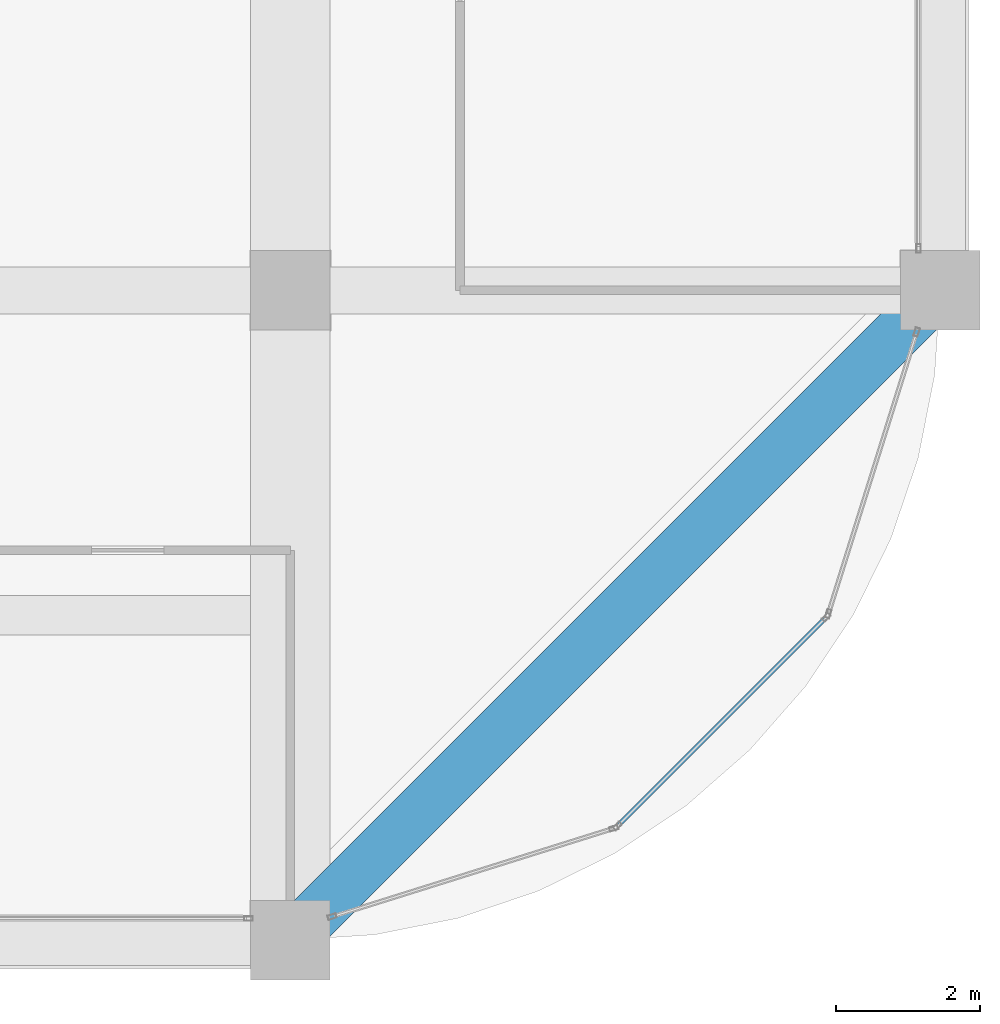
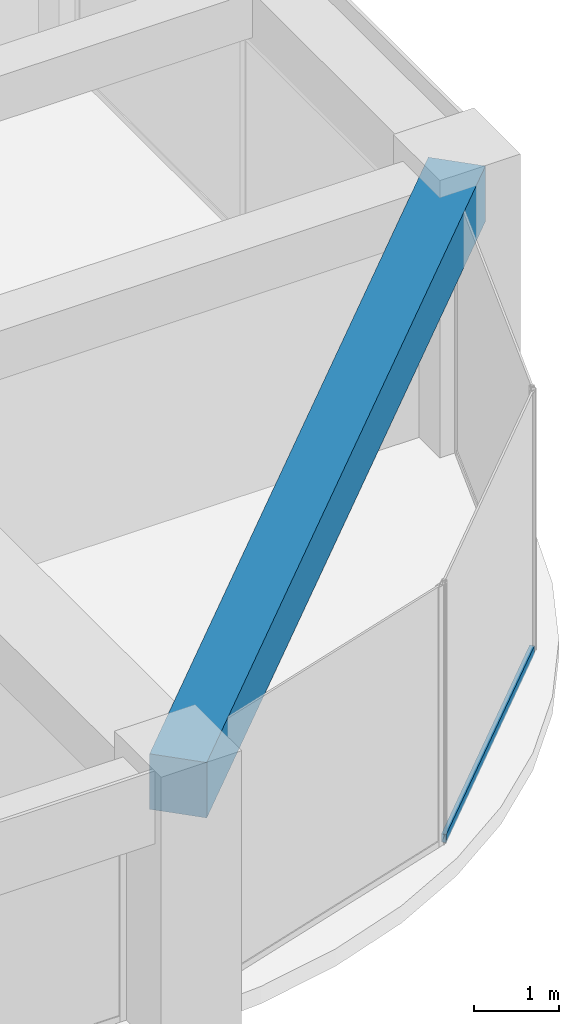
# One storey, part 19 of 44: 1 beam, 1 member, 1 element without a shape of its own.
"""IFC4 building model written with IfcOpenShell, lengths in metres."""

from ifc_helpers import new_model, si_unit, direction, frame, origin, origin_2d, place, context, subcontext, project, spatial, rectangle, hollow_rectangle, extrude, material, material_profile, profile_set, type_object, element, aggregate, save


model = new_model("IFC4")

# Units and contexts
model_context = context("Model", 3, precision=1e-05, world=origin(), true_north=direction((0.0, 1.0)))
body_context = subcontext(model_context, "Body", "Model", "MODEL_VIEW")
ifc_project = project(units=[si_unit("LENGTHUNIT", "METRE"), si_unit("AREAUNIT", "SQUARE_METRE"), si_unit("VOLUMEUNIT", "CUBIC_METRE"), si_unit("PLANEANGLEUNIT", "RADIAN"), si_unit("MASSUNIT", "GRAM", prefix="KILO")], contexts=[model_context])

# Site, building, storey
site_placement = place(None, origin())
site = spatial("IfcSite", under=ifc_project, at=site_placement, CompositionType="ELEMENT")
building_placement = place(site_placement, origin())
building = spatial("IfcBuilding", under=site, at=building_placement, Name="Zorevar Civic Tower", CompositionType="ELEMENT")
storey_placement = place(building_placement, frame((0.0, 0.0, 275.39990234375)))
storey = spatial("IfcBuildingStorey", under=building, at=storey_placement, Name="L67", CompositionType="ELEMENT", Elevation=275.39990234375)

# Curtain wall, member
ifc_material_1 = material(Name="Dark grey solar-control glass in black aluminium frame", Category="aluminium")
curtain_wall_type = type_object("IfcCurtainWallType", Name="Curtain wall CW5 top zone", PredefinedType="NOTDEFINED", material=ifc_material_1)
curtain_wall_placement = place(storey_placement, origin())
curtain_wall = element("IfcCurtainWall", 1, at=curtain_wall_placement, inside=storey, type_object=curtain_wall_type, Name="CW5 L67", PredefinedType="NOTDEFINED")
ifc_material_2 = material(Name="Aluminium, black anodised", Category="aluminium")
ifc_material_profile_1 = material_profile(ifc_material_2, hollow_rectangle(XDim=0.06005859375, YDim=0.1201171875, WallThickness=0.0029296875, at=origin_2d()), Name="AL 120x60x3")
ifc_profile_set_1 = profile_set([ifc_material_profile_1], Name="Aluminium, black anodised")
member_type = type_object("IfcMemberType", Name="CW5 transom AL 120x60x3", PredefinedType="USERDEFINED", material=ifc_profile_set_1)
member_placement = place(storey_placement, frame((49.55029296875, 1.6015625, 0.030029296875), z_axis=(0.707106781187, 0.707106781187, 0.0), x_axis=(-0.707106781187, 0.707106781187, 0.0)))
member = element("IfcMember", 2, at=member_placement, type_object=member_type, Name="CW5 sill transom", ObjectType="TRANSOM", PredefinedType="USERDEFINED", context=body_context, shape_type="SweptSolid", body=[
    extrude(hollow_rectangle(XDim=0.06005859375, YDim=0.1201171875, WallThickness=0.0029296875, at=origin_2d()), origin(), (0.0, 0.0, 1.0), 4.02783203125),
])
aggregate(curtain_wall, [member])

# Beam
ifc_material_3 = material(Name="Concrete C50/60", Category="concrete")
ifc_material_profile_2 = material_profile(ifc_material_3, rectangle(XDim=0.699951171875, YDim=0.800048828125, at=origin_2d()), Name="RC 700x800")
ifc_profile_set_2 = profile_set([ifc_material_profile_2], Name="Concrete C50/60")
beam_type = type_object("IfcBeamType", Name="Edge beam RC 700x800", PredefinedType="SPANDREL", material=ifc_profile_set_2)
beam_placement = place(storey_placement, frame((45.0, 0.0, 3.35009765625), z_axis=(0.707106781187, 0.707106781187, 0.0), x_axis=(-0.707106781187, 0.707106781187, 0.0)))
element("IfcBeam", 3, at=beam_placement, inside=storey, type_object=beam_type, Name="Corner edge beam L68", PredefinedType="SPANDREL", context=body_context, shape_type="SweptSolid", body=[
    extrude(rectangle(XDim=0.699951171875, YDim=0.800048828125, at=origin_2d()), origin(), (0.0, 0.0, 1.0), 12.72802734375),
])

save(model, "model.ifc")
